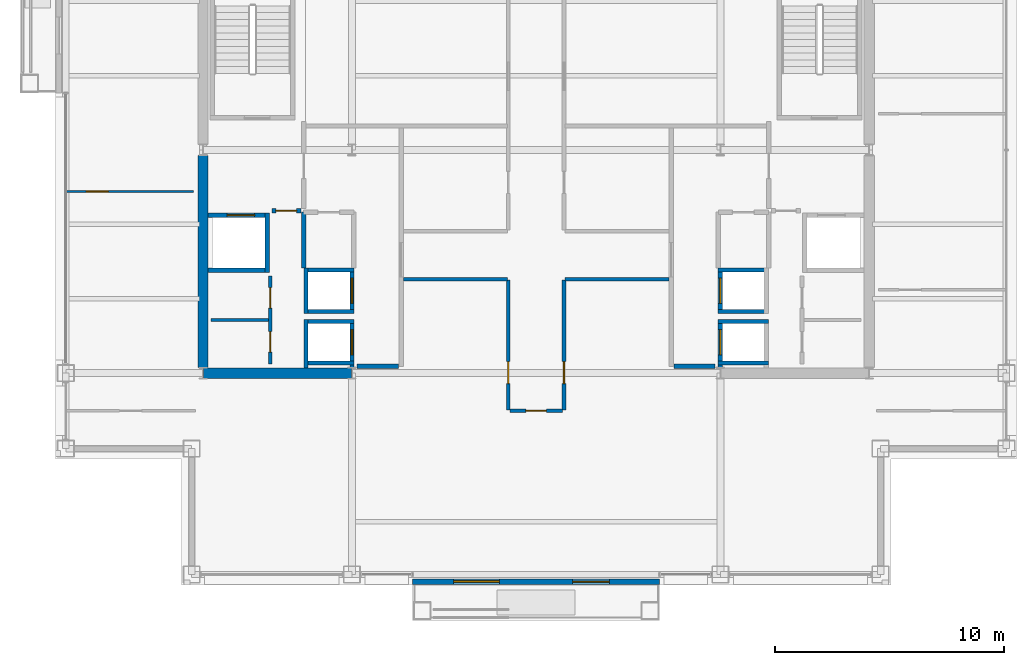
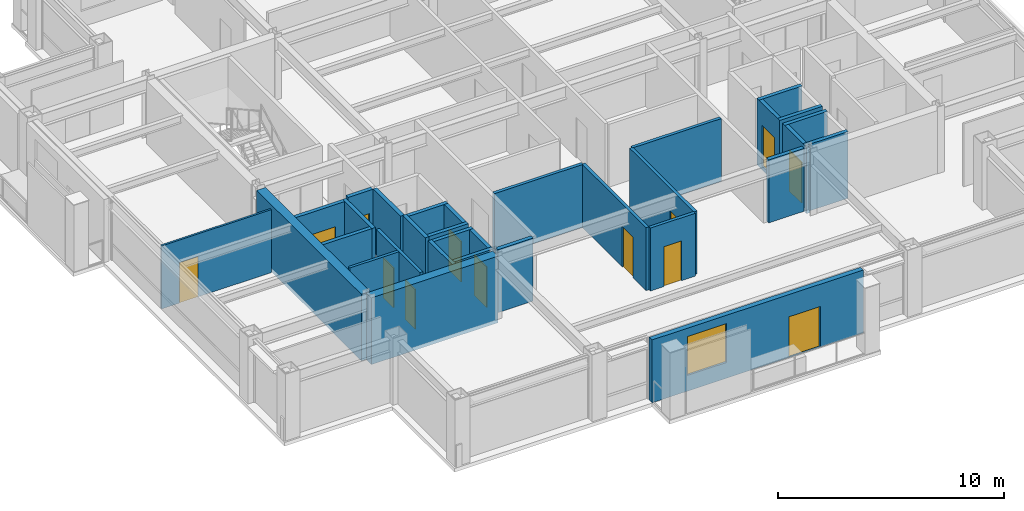
# One storey, part 23 of 28: 32 walls, 13 doors, 1 window, 14 openings.
"""IFC4 building model written with IfcOpenShell, lengths in metres."""

from ifc_helpers import new_model, si_unit, direction, frame, frame_2d, origin, place, context, subcontext, project, spatial, rectangle, extrude, material, layer, layer_set, type_object, element, fill, save


model = new_model("IFC4")

# Units and contexts
model_context = context("Model", 3, precision=1e-05, world=origin(), true_north=direction((0.0, 1.0)))
body_context = subcontext(model_context, "Body", "Model", "MODEL_VIEW")
ifc_project = project(units=[si_unit("LENGTHUNIT", "METRE"), si_unit("AREAUNIT", "SQUARE_METRE"), si_unit("VOLUMEUNIT", "CUBIC_METRE"), si_unit("PLANEANGLEUNIT", "RADIAN"), si_unit("MASSUNIT", "GRAM", prefix="KILO")], contexts=[model_context])

# Site, building, storey
site_placement = place(None, origin())
site = spatial("IfcSite", under=ifc_project, at=site_placement, CompositionType="ELEMENT")
building_placement = place(site_placement, origin())
building = spatial("IfcBuilding", under=site, at=building_placement, Name="Brelmoor Portico Tower", CompositionType="ELEMENT")
storey_placement = place(building_placement, frame((0.0, 0.0, 165.89990234375)))
storey = spatial("IfcBuildingStorey", under=building, at=storey_placement, Name="L43", CompositionType="ELEMENT", Elevation=165.89990234375)

# Walls
ifc_material_1 = material(Name="Concrete C50", Category="concrete")
ifc_layer_1 = layer(ifc_material_1, 0.449951171875)
ifc_layer_set_1 = layer_set([ifc_layer_1], Name="Concrete C50")
wall_type_1 = type_object("IfcWallType", Name="WL-CORE-450", PredefinedType="SHEAR", material=ifc_layer_set_1)
wall_1_placement = place(storey_placement, frame((-14.530029296875, -9.75, -0.199951171875), z_axis=(0.0, 0.0, 1.0), x_axis=(1.0, 0.0, 0.0)))
element("IfcWall", 1, at=wall_1_placement, inside=storey, type_object=wall_type_1, Name="L43 WC South Shear Wall", PredefinedType="SHEAR", context=body_context, shape_type="SweptSolid", body=[
    extrude(rectangle(XDim=6.4599609375, YDim=0.449951171875, at=frame_2d((3.22998046875, 0.0))), origin(), (0.0, 0.0, 1.0), 3.60009765625),
])
wall_2_placement = place(storey_placement, frame((-14.550048828125, -9.5, -0.199951171875), z_axis=(0.0, 0.0, 1.0), x_axis=(0.0, 1.0, 0.0)))
element("IfcWall", 2, at=wall_2_placement, inside=storey, type_object=wall_type_1, Name="L43 WC Outer South Shear Wall", PredefinedType="SHEAR", context=body_context, shape_type="SweptSolid", body=[
    extrude(rectangle(XDim=9.25, YDim=0.449951171875, at=frame_2d((4.625, 0.0))), origin(), (0.0, 0.0, 1.0), 3.60009765625),
])

# Wall, openings, door, window
ifc_material_2 = material(Name="Precast Concrete C40 Insulated Facade Wall", Category="concrete")
ifc_layer_2 = layer(ifc_material_2, 0.25)
ifc_layer_set_2 = layer_set([ifc_layer_2], Name="Precast Concrete C40 Insulated Facade Wall")
wall_type_2 = type_object("IfcWallType", Name="WL-EXT-250", PredefinedType="STANDARD", material=ifc_layer_set_2)
wall_3_placement = place(storey_placement, frame((-5.39990234375, -18.860107421875, 0.0), z_axis=(0.0, 0.0, 1.0), x_axis=(1.0, 0.0, 0.0)))
wall_3 = element("IfcWall", 3, at=wall_3_placement, inside=storey, type_object=wall_type_2, Name="L43 Loggia Threshold Wall S-1", PredefinedType="STANDARD", context=body_context, shape_type="SweptSolid", body=[
    extrude(rectangle(XDim=10.7998046875, YDim=0.25, at=frame_2d((5.39990234375, 0.0))), origin(), (0.0, 0.0, 1.0), 3.400146484375),
])
opening_1_placement = place(wall_3_placement, frame((7.0, 0.0, 0.0)))
opening_1 = element("IfcOpeningElement", 4, at=opening_1_placement, cuts=wall_3, Name="Opening D-TB1", PredefinedType="OPENING", context=body_context, shape_type="SweptSolid", body=[
    extrude(rectangle(XDim=1.60009765625, YDim=2.199951171875, at=frame_2d((0.800048828125, 1.10009765625))), frame((0.0, 0.135009765625, 0.0), z_axis=(0.0, -1.0, 0.0), x_axis=(1.0, 0.0, 0.0)), (0.0, 0.0, 1.0), 0.27001953125),
])
opening_2_placement = place(wall_3_placement, frame((1.800048828125, 0.0, 0.85009765625)))
opening_2 = element("IfcOpeningElement", 5, at=opening_2_placement, cuts=wall_3, Name="Opening W-03", PredefinedType="OPENING", context=body_context, shape_type="SweptSolid", body=[
    extrude(rectangle(XDim=2.0, YDim=2.10009765625, at=frame_2d((1.0, 1.050048828125))), frame((0.0, 0.135009765625, 0.0), z_axis=(0.0, -1.0, 0.0), x_axis=(1.0, 0.0, 0.0)), (0.0, 0.0, 1.0), 0.27001953125),
])
ifc_material_3 = material(Name="Double-Leaf Thermally Broken Terrace Door", Category="aluminium")
door_type_1 = type_object("IfcDoorType", Name="DR-BALCONY-1600", OperationType="NOTDEFINED", PredefinedType="DOOR", material=ifc_material_3)
door_1_placement = place(opening_1_placement, origin())
door_1 = element("IfcDoor", 6, at=door_1_placement, inside=storey, type_object=door_type_1, Name="D-1851 L43 Tree Balcony Double Door S", OperationType="DOUBLE_DOOR_SINGLE_SWING", OverallHeight=2.199951171875, OverallWidth=1.60009765625, PredefinedType="DOOR", context=body_context, shape_type="SweptSolid", body=[
    extrude(rectangle(XDim=1.60009765625, YDim=2.199951171875, at=frame_2d((0.800048828125, 1.10009765625))), frame((0.0, 0.02490234375, 0.0), z_axis=(0.0, -1.0, 0.0), x_axis=(1.0, 0.0, 0.0)), (0.0, 0.0, 1.0), 0.050048828125),
])
fill(opening_1, door_1)
ifc_material_4 = material(Name="Thermally Broken Aluminium Low-E Window", Category="aluminium")
window_type = type_object("IfcWindowType", Name="WN-LOGGIA-2000x2100", PartitioningType="SINGLE_PANEL", PredefinedType="WINDOW", material=ifc_material_4)
window_placement = place(opening_2_placement, origin())
window = element("IfcWindow", 7, at=window_placement, inside=storey, type_object=window_type, Name="L43 Loggia Window S", OverallHeight=2.10009765625, OverallWidth=2.0, PartitioningType="SINGLE_PANEL", PredefinedType="WINDOW", context=body_context, shape_type="SweptSolid", body=[
    extrude(rectangle(XDim=2.0, YDim=2.10009765625, at=frame_2d((1.0, 1.050048828125))), frame((0.0, 0.030029296875, 0.0), z_axis=(0.0, -1.0, 0.0), x_axis=(1.0, 0.0, 0.0)), (0.0, 0.0, 1.0), 0.06005859375),
])
fill(opening_2, window)

# Wall, opening, door
ifc_material_5 = material(Name="Demountable Glazed Office Partition", Category="aluminium")
ifc_layer_3 = layer(ifc_material_5, 0.10009765625)
ifc_layer_set_3 = layer_set([ifc_layer_3], Name="Demountable Glazed Office Partition")
wall_type_3 = type_object("IfcWallType", Name="WL-PART-100", PredefinedType="PARTITIONING", material=ifc_layer_set_3)
wall_4_placement = place(storey_placement, frame((-20.56005859375, -1.811279296875, 0.0), z_axis=(0.0, 0.0, 1.0), x_axis=(1.0, 0.0, 0.0)))
wall_4 = element("IfcWall", 8, at=wall_4_placement, inside=storey, type_object=wall_type_3, Name="L43 W Wing Partition 1", PredefinedType="PARTITIONING", context=body_context, shape_type="SweptSolid", body=[
    extrude(rectangle(XDim=5.60009765625, YDim=0.10009765625, at=frame_2d((2.800048828125, 0.0))), origin(), (0.0, 0.0, 1.0), 3.400146484375),
])
opening_3_placement = place(wall_4_placement, frame((0.89990234375, 0.0, 0.0)))
opening_3 = element("IfcOpeningElement", 9, at=opening_3_placement, cuts=wall_4, Name="Opening D-IN2", PredefinedType="OPENING", context=body_context, shape_type="SweptSolid", body=[
    extrude(rectangle(XDim=0.9599609375, YDim=2.179931640625, at=frame_2d((0.47998046875, 1.08984375))), frame((0.0, 0.06005859375, 0.0), z_axis=(0.0, -1.0, 0.0), x_axis=(1.0, 0.0, 0.0)), (0.0, 0.0, 1.0), 0.1201171875),
])
ifc_material_6 = material(Name="Lacquered Timber Suite Door", Category="wood")
door_type_2 = type_object("IfcDoorType", Name="DR-INT-950", OperationType="NOTDEFINED", PredefinedType="DOOR", material=ifc_material_6)
door_2_placement = place(opening_3_placement, origin())
door_2 = element("IfcDoor", 10, at=door_2_placement, inside=storey, type_object=door_type_2, Name="D-1855 L43 W Wing Suite Connecting Door 1", OperationType="SINGLE_SWING_LEFT", OverallHeight=2.179931640625, OverallWidth=0.9599609375, PredefinedType="DOOR", context=body_context, shape_type="SweptSolid", body=[
    extrude(rectangle(XDim=0.9599609375, YDim=2.179931640625, at=frame_2d((0.47998046875, 1.08984375))), frame((0.0, 0.02490234375, 0.0), z_axis=(0.0, -1.0, 0.0), x_axis=(1.0, 0.0, 0.0)), (0.0, 0.0, 1.0), 0.050048828125),
])
fill(opening_3, door_2)

# Wall
ifc_material_7 = material(Name="Insulated Stud Suite Partition", Category="gypsum")
ifc_layer_4 = layer(ifc_material_7, 0.139892578125)
ifc_layer_set_4 = layer_set([ifc_layer_4], Name="Insulated Stud Suite Partition")
wall_type_4 = type_object("IfcWallType", Name="WL-PART-140", PredefinedType="PARTITIONING", material=ifc_layer_set_4)
wall_5_placement = place(storey_placement, frame((-11.699951171875, -7.425048828125, 0.0), z_axis=(0.0, 0.0, 1.0), x_axis=(-1.0, 0.0, 0.0)))
element("IfcWall", 11, at=wall_5_placement, inside=storey, type_object=wall_type_4, Name="L43 W Core WC Divider 1", PredefinedType="PARTITIONING", context=body_context, shape_type="SweptSolid", body=[
    extrude(rectangle(XDim=2.5, YDim=0.139892578125, at=frame_2d((1.25, 0.0))), origin(), (0.0, 0.0, 1.0), 3.400146484375),
])

# Wall, openings, doors
ifc_material_8 = material(Name="Twin-Frame Acoustic Partition", Category="gypsum")
ifc_layer_5 = layer(ifc_material_8, 0.159912109375)
ifc_layer_set_5 = layer_set([ifc_layer_5], Name="Twin-Frame Acoustic Partition")
wall_type_5 = type_object("IfcWallType", Name="WL-PART-160", PredefinedType="PARTITIONING", material=ifc_layer_set_5)
wall_6_placement = place(storey_placement, frame((-11.6201171875, -9.35009765625, 0.0), z_axis=(0.0, 0.0, 1.0), x_axis=(0.0, 1.0, 0.0)))
wall_6 = element("IfcWall", 12, at=wall_6_placement, inside=storey, type_object=wall_type_5, Name="L43 W Core Service Front Wall", PredefinedType="PARTITIONING", context=body_context, shape_type="SweptSolid", body=[
    extrude(rectangle(XDim=3.85009765625, YDim=0.159912109375, at=frame_2d((1.925048828125, 0.0))), origin(), (0.0, 0.0, 1.0), 3.400146484375),
])
opening_4_placement = place(wall_6_placement, frame((0.512451171875, 0.0, 0.0)))
opening_4 = element("IfcOpeningElement", 13, at=opening_4_placement, cuts=wall_6, Name="Opening D-IN1", PredefinedType="OPENING", context=body_context, shape_type="SweptSolid", body=[
    extrude(rectangle(XDim=0.89990234375, YDim=2.14990234375, at=frame_2d((0.449951171875, 1.074951171875))), frame((0.0, 0.08984375, 0.0), z_axis=(0.0, -1.0, 0.0), x_axis=(1.0, 0.0, 0.0)), (0.0, 0.0, 1.0), 0.179931640625),
])
opening_5_placement = place(wall_6_placement, frame((2.4375, 0.0, 0.0)))
opening_5 = element("IfcOpeningElement", 14, at=opening_5_placement, cuts=wall_6, Name="Opening D-IN1", PredefinedType="OPENING", context=body_context, shape_type="SweptSolid", body=[
    extrude(rectangle(XDim=0.89990234375, YDim=2.14990234375, at=frame_2d((0.449951171875, 1.074951171875))), frame((0.0, 0.08984375, 0.0), z_axis=(0.0, -1.0, 0.0), x_axis=(1.0, 0.0, 0.0)), (0.0, 0.0, 1.0), 0.179931640625),
])
door_type_3 = type_object("IfcDoorType", Name="DR-INT-900", OperationType="NOTDEFINED", PredefinedType="DOOR", material=ifc_material_6)
door_3_placement = place(opening_4_placement, origin())
door_3 = element("IfcDoor", 15, at=door_3_placement, inside=storey, type_object=door_type_3, Name="D-1831 L43 W Accessible WC Door", OperationType="SINGLE_SWING_RIGHT", OverallHeight=2.14990234375, OverallWidth=0.89990234375, PredefinedType="DOOR", context=body_context, shape_type="SweptSolid", body=[
    extrude(rectangle(XDim=0.89990234375, YDim=2.14990234375, at=frame_2d((0.449951171875, 1.074951171875))), frame((0.0, 0.02490234375, 0.0), z_axis=(0.0, -1.0, 0.0), x_axis=(1.0, 0.0, 0.0)), (0.0, 0.0, 1.0), 0.050048828125),
])
fill(opening_4, door_3)
door_4_placement = place(opening_5_placement, origin())
door_4 = element("IfcDoor", 16, at=door_4_placement, inside=storey, type_object=door_type_3, Name="D-1832 L43 W Staff WC Door", OperationType="SINGLE_SWING_LEFT", OverallHeight=2.14990234375, OverallWidth=0.89990234375, PredefinedType="DOOR", context=body_context, shape_type="SweptSolid", body=[
    extrude(rectangle(XDim=0.89990234375, YDim=2.14990234375, at=frame_2d((0.449951171875, 1.074951171875))), frame((0.0, 0.02490234375, 0.0), z_axis=(0.0, -1.0, 0.0), x_axis=(1.0, 0.0, 0.0)), (0.0, 0.0, 1.0), 0.050048828125),
])
fill(opening_5, door_4)

# Wall, opening, door
wall_7_placement = place(storey_placement, frame((-1.219970703125, -11.360107421875, 0.0), z_axis=(0.0, 0.0, 1.0), x_axis=(0.0, 1.0, 0.0)))
wall_7 = element("IfcWall", 17, at=wall_7_placement, inside=storey, type_object=wall_type_5, Name="L43 South Cross West Wall", PredefinedType="PARTITIONING", context=body_context, shape_type="SweptSolid", body=[
    extrude(rectangle(XDim=5.68017578125, YDim=0.159912109375, at=frame_2d((2.840087890625, 0.0))), origin(), (0.0, 0.0, 1.0), 3.400146484375),
])
opening_6_placement = place(wall_7_placement, frame((1.14990234375, 0.0, 0.0)))
opening_6 = element("IfcOpeningElement", 18, at=opening_6_placement, cuts=wall_7, Name="Opening D-IN2", PredefinedType="OPENING", context=body_context, shape_type="SweptSolid", body=[
    extrude(rectangle(XDim=0.9599609375, YDim=2.179931640625, at=frame_2d((0.47998046875, 1.08984375))), frame((0.0, 0.08984375, 0.0), z_axis=(0.0, -1.0, 0.0), x_axis=(1.0, 0.0, 0.0)), (0.0, 0.0, 1.0), 0.179931640625),
])
door_5_placement = place(opening_6_placement, origin())
door_5 = element("IfcDoor", 19, at=door_5_placement, inside=storey, type_object=door_type_2, Name="D-1824 L43 South-West Archive Room Door", OperationType="SINGLE_SWING_LEFT", OverallHeight=2.179931640625, OverallWidth=0.9599609375, PredefinedType="DOOR", context=body_context, shape_type="SweptSolid", body=[
    extrude(rectangle(XDim=0.9599609375, YDim=2.179931640625, at=frame_2d((0.47998046875, 1.08984375))), frame((0.0, 0.02490234375, 0.0), z_axis=(0.0, -1.0, 0.0), x_axis=(1.0, 0.0, 0.0)), (0.0, 0.0, 1.0), 0.050048828125),
])
fill(opening_6, door_5)

wall_8_placement = place(storey_placement, frame((1.219970703125, -11.360107421875, 0.0), z_axis=(0.0, 0.0, 1.0), x_axis=(0.0, 1.0, 0.0)))
wall_8 = element("IfcWall", 20, at=wall_8_placement, inside=storey, type_object=wall_type_5, Name="L43 South Cross East Wall", PredefinedType="PARTITIONING", context=body_context, shape_type="SweptSolid", body=[
    extrude(rectangle(XDim=5.68017578125, YDim=0.159912109375, at=frame_2d((2.840087890625, 0.0))), origin(), (0.0, 0.0, 1.0), 3.400146484375),
])
opening_7_placement = place(wall_8_placement, frame((1.14990234375, 0.0, 0.0)))
opening_7 = element("IfcOpeningElement", 21, at=opening_7_placement, cuts=wall_8, Name="Opening D-IN2", PredefinedType="OPENING", context=body_context, shape_type="SweptSolid", body=[
    extrude(rectangle(XDim=0.9599609375, YDim=2.179931640625, at=frame_2d((0.47998046875, 1.08984375))), frame((0.0, 0.08984375, 0.0), z_axis=(0.0, -1.0, 0.0), x_axis=(1.0, 0.0, 0.0)), (0.0, 0.0, 1.0), 0.179931640625),
])
door_6_placement = place(opening_7_placement, origin())
door_6 = element("IfcDoor", 22, at=door_6_placement, inside=storey, type_object=door_type_2, Name="D-1823 L43 South-East Partner Office Door", OperationType="SINGLE_SWING_RIGHT", OverallHeight=2.179931640625, OverallWidth=0.9599609375, PredefinedType="DOOR", context=body_context, shape_type="SweptSolid", body=[
    extrude(rectangle(XDim=0.9599609375, YDim=2.179931640625, at=frame_2d((0.47998046875, 1.08984375))), frame((0.0, 0.02490234375, 0.0), z_axis=(0.0, -1.0, 0.0), x_axis=(1.0, 0.0, 0.0)), (0.0, 0.0, 1.0), 0.050048828125),
])
fill(opening_7, door_6)

# Walls
for number, where, z_axis, x_axis, name in (
    (23, (-5.800048828125, -5.64990234375, 0.0), (0.0, 0.0, 1.0), (1.0, 0.0, 0.0), "L43 South-West Chamber Top Wall"),
    (24, (1.260009765625, -5.64990234375, 0.0), (0.0, 0.0, 1.0), (1.0, 0.0, 0.0), "L43 South-East Chamber Top Wall"),
):
    element("IfcWall", number, at=place(storey_placement, frame(where, z_axis=z_axis, x_axis=x_axis)), inside=storey, type_object=wall_type_5, Name=name, PredefinedType="PARTITIONING", context=body_context, shape_type="SweptSolid", body=[
        extrude(rectangle(XDim=4.5400390625, YDim=0.159912109375, at=frame_2d((2.27001953125, 0.0))), origin(), (0.0, 0.0, 1.0), 3.400146484375),
    ])

# Wall, opening, door
wall_9_placement = place(storey_placement, frame((-1.14990234375, -11.39990234375, 0.0), z_axis=(0.0, 0.0, 1.0), x_axis=(1.0, 0.0, 0.0)))
wall_9 = element("IfcWall", 25, at=wall_9_placement, inside=storey, type_object=wall_type_5, Name="L43 South Corridor Partition", PredefinedType="PARTITIONING", context=body_context, shape_type="SweptSolid", body=[
    extrude(rectangle(XDim=2.2998046875, YDim=0.159912109375, at=frame_2d((1.14990234375, 0.0))), origin(), (0.0, 0.0, 1.0), 3.400146484375),
])
opening_8_placement = place(wall_9_placement, frame((0.699951171875, 0.0, 0.0)))
opening_8 = element("IfcOpeningElement", 26, at=opening_8_placement, cuts=wall_9, Name="Opening D-IN1", PredefinedType="OPENING", context=body_context, shape_type="SweptSolid", body=[
    extrude(rectangle(XDim=0.89990234375, YDim=2.14990234375, at=frame_2d((0.449951171875, 1.074951171875))), frame((0.0, 0.08984375, 0.0), z_axis=(0.0, -1.0, 0.0), x_axis=(1.0, 0.0, 0.0)), (0.0, 0.0, 1.0), 0.179931640625),
])
door_7_placement = place(opening_8_placement, origin())
door_7 = element("IfcDoor", 27, at=door_7_placement, inside=storey, type_object=door_type_3, Name="D-1845 L43 South Design Workshop 1 Door", OperationType="SINGLE_SWING_RIGHT", OverallHeight=2.14990234375, OverallWidth=0.89990234375, PredefinedType="DOOR", context=body_context, shape_type="SweptSolid", body=[
    extrude(rectangle(XDim=0.89990234375, YDim=2.14990234375, at=frame_2d((0.449951171875, 1.074951171875))), frame((0.0, 0.02490234375, 0.0), z_axis=(0.0, -1.0, 0.0), x_axis=(1.0, 0.0, 0.0)), (0.0, 0.0, 1.0), 0.050048828125),
])
fill(opening_8, door_7)

# Wall
ifc_material_9 = material(Name="Double-Stud Gypsum Fire Partition", Category="gypsum")
ifc_layer_6 = layer(ifc_material_9, 0.199951171875)
ifc_layer_set_6 = layer_set([ifc_layer_6], Name="Double-Stud Gypsum Fire Partition")
wall_type_6 = type_object("IfcWallType", Name="WL-PART-200", PredefinedType="PARTITIONING", material=ifc_layer_set_6)
wall_10_placement = place(storey_placement, frame((-6.02001953125, -9.449951171875, 0.0), z_axis=(0.0, 0.0, 1.0), x_axis=(-1.0, 0.0, 0.0)))
element("IfcWall", 28, at=wall_10_placement, inside=storey, type_object=wall_type_6, Name="L43 W Lift Lobby South End Wall", PredefinedType="PARTITIONING", context=body_context, shape_type="SweptSolid", body=[
    extrude(rectangle(XDim=1.800048828125, YDim=0.199951171875, at=frame_2d((0.89990234375, 0.0))), origin(), (0.0, 0.0, 1.0), 3.400146484375),
])

# Wall, opening, door
wall_11_placement = place(storey_placement, frame((-10.280029296875, -2.64990234375, 0.0), z_axis=(0.0, 0.0, 1.0), x_axis=(-1.0, 0.0, 0.0)))
wall_11 = element("IfcWall", 29, at=wall_11_placement, inside=storey, type_object=wall_type_6, Name="L43 W Firefighting Lobby South Wall", PredefinedType="PARTITIONING", context=body_context, shape_type="SweptSolid", body=[
    extrude(rectangle(XDim=1.27001953125, YDim=0.199951171875, at=frame_2d((0.635009765625, 0.0))), origin(), (0.0, 0.0, 1.0), 3.400146484375),
])
opening_9_placement = place(wall_11_placement, frame((0.18505859375, 0.0, 0.0)))
opening_9 = element("IfcOpeningElement", 30, at=opening_9_placement, cuts=wall_11, Name="Opening D-IN1", PredefinedType="OPENING", context=body_context, shape_type="SweptSolid", body=[
    extrude(rectangle(XDim=0.89990234375, YDim=2.14990234375, at=frame_2d((0.449951171875, 1.074951171875))), frame((0.0, 0.10986328125, 0.0), z_axis=(0.0, -1.0, 0.0), x_axis=(1.0, 0.0, 0.0)), (0.0, 0.0, 1.0), 0.219970703125),
])
door_8_placement = place(opening_9_placement, origin())
door_8 = element("IfcDoor", 31, at=door_8_placement, inside=storey, type_object=door_type_3, Name="D-1830 L43 W Core Service Vestibule Door", OperationType="SINGLE_SWING_RIGHT", OverallHeight=2.14990234375, OverallWidth=0.89990234375, PredefinedType="DOOR", context=body_context, shape_type="SweptSolid", body=[
    extrude(rectangle(XDim=0.89990234375, YDim=2.14990234375, at=frame_2d((0.449951171875, 1.074951171875))), frame((0.0, 0.02490234375, 0.0), z_axis=(0.0, -1.0, 0.0), x_axis=(1.0, 0.0, 0.0)), (0.0, 0.0, 1.0), 0.050048828125),
])
fill(opening_9, door_8)

# Walls
wall_12_placement = place(storey_placement, frame((-10.159912109375, -5.159912109375, 0.0), z_axis=(0.0, 0.0, 1.0), x_axis=(0.0, 1.0, 0.0)))
element("IfcWall", 32, at=wall_12_placement, inside=storey, type_object=wall_type_6, Name="L43 W Electrical Switchgear Closet Outer Wall", PredefinedType="PARTITIONING", context=body_context, shape_type="SweptSolid", body=[
    extrude(rectangle(XDim=2.43994140625, YDim=0.199951171875, at=frame_2d((1.219970703125, 0.0))), origin(), (0.0, 0.0, 1.0), 3.400146484375),
])
wall_13_placement = place(storey_placement, frame((6.02001953125, -9.449951171875, 0.0), z_axis=(0.0, 0.0, 1.0), x_axis=(1.0, 0.0, 0.0)))
element("IfcWall", 33, at=wall_13_placement, inside=storey, type_object=wall_type_6, Name="L43 E Lift Lobby South End Wall", PredefinedType="PARTITIONING", context=body_context, shape_type="SweptSolid", body=[
    extrude(rectangle(XDim=1.800048828125, YDim=0.199951171875, at=frame_2d((0.89990234375, 0.0))), origin(), (0.0, 0.0, 1.0), 3.400146484375),
])

# Wall, opening, door
ifc_material_10 = material(Name="Precast Concrete C40", Category="concrete")
ifc_layer_7 = layer(ifc_material_10, 0.18994140625)
ifc_layer_set_7 = layer_set([ifc_layer_7], Name="Precast Concrete C40")
wall_type_7 = type_object("IfcWallType", Name="WL-SHAFT-180", PredefinedType="SOLIDWALL", material=ifc_layer_set_7)
wall_14_placement = place(storey_placement, frame((-8.044921875, -9.52001953125, -0.199951171875), z_axis=(0.0, 0.0, 1.0), x_axis=(0.0, 1.0, 0.0)))
wall_14 = element("IfcWall", 34, at=wall_14_placement, inside=storey, type_object=wall_type_7, Name="L43 Lift PH1 Hoistway Front Wall", PredefinedType="SOLIDWALL", context=body_context, shape_type="SweptSolid", body=[
    extrude(rectangle(XDim=2.1201171875, YDim=0.18994140625, at=frame_2d((1.06005859375, 0.0))), origin(), (0.0, 0.0, 1.0), 3.60009765625),
])
opening_10_placement = place(wall_14_placement, frame((0.570068359375, 0.0, 0.199951171875)))
opening_10 = element("IfcOpeningElement", 35, at=opening_10_placement, cuts=wall_14, Name="Opening LD-01", PredefinedType="OPENING", context=body_context, shape_type="SweptSolid", body=[
    extrude(rectangle(XDim=1.10009765625, YDim=2.199951171875, at=frame_2d((0.550048828125, 1.10009765625))), frame((0.0, 0.10498046875, 0.0), z_axis=(0.0, -1.0, 0.0), x_axis=(1.0, 0.0, 0.0)), (0.0, 0.0, 1.0), 0.2099609375),
])
ifc_material_11 = material(Name="Brushed Stainless Steel Sliding Lift Door", Category="steel")
door_type_4 = type_object("IfcDoorType", Name="DR-LIFT-1100", OperationType="NOTDEFINED", PredefinedType="DOOR", material=ifc_material_11)
door_9_placement = place(opening_10_placement, origin())
door_9 = element("IfcDoor", 36, at=door_9_placement, inside=storey, type_object=door_type_4, Name="D-1858 L43 Lift PH1 Sliding Landing Door", OperationType="SLIDING_TO_LEFT", OverallHeight=2.199951171875, OverallWidth=1.10009765625, PredefinedType="DOOR", context=body_context, shape_type="SweptSolid", body=[
    extrude(rectangle(XDim=1.10009765625, YDim=2.199951171875, at=frame_2d((0.550048828125, 1.10009765625))), frame((0.0, 0.02490234375, 0.0), z_axis=(0.0, -1.0, 0.0), x_axis=(1.0, 0.0, 0.0)), (0.0, 0.0, 1.0), 0.050048828125),
])
fill(opening_10, door_9)

# Walls
wall_15_placement = place(storey_placement, frame((-10.054931640625, -9.52001953125, -0.199951171875), z_axis=(0.0, 0.0, 1.0), x_axis=(0.0, 1.0, 0.0)))
element("IfcWall", 37, at=wall_15_placement, inside=storey, type_object=wall_type_7, Name="L43 Lift PH1 Hoistway Back Wall", PredefinedType="SOLIDWALL", context=body_context, shape_type="SweptSolid", body=[
    extrude(rectangle(XDim=2.1201171875, YDim=0.18994140625, at=frame_2d((1.06005859375, 0.0))), origin(), (0.0, 0.0, 1.0), 3.60009765625),
])
for number, where, z_axis, x_axis, name in (
    (38, (-10.14990234375, -7.4951171875, -0.199951171875), (0.0, 0.0, 1.0), (1.0, 0.0, 0.0), "L43 Lift PH1 Hoistway North Wall"),
    (39, (-10.14990234375, -9.304931640625, -0.199951171875), (0.0, 0.0, 1.0), (1.0, 0.0, 0.0), "L43 Lift PH1 Hoistway South Wall"),
):
    element("IfcWall", number, at=place(storey_placement, frame(where, z_axis=z_axis, x_axis=x_axis)), inside=storey, type_object=wall_type_7, Name=name, PredefinedType="SOLIDWALL", context=body_context, shape_type="SweptSolid", body=[
        extrude(rectangle(XDim=2.199951171875, YDim=0.18994140625, at=frame_2d((1.10009765625, 0.0))), origin(), (0.0, 0.0, 1.0), 3.60009765625),
    ])

# Wall, opening, door
wall_16_placement = place(storey_placement, frame((-8.044921875, -7.14990234375, -0.199951171875), z_axis=(0.0, 0.0, 1.0), x_axis=(0.0, 1.0, 0.0)))
wall_16 = element("IfcWall", 40, at=wall_16_placement, inside=storey, type_object=wall_type_7, Name="L43 Lift PH2 Hoistway Front Wall", PredefinedType="SOLIDWALL", context=body_context, shape_type="SweptSolid", body=[
    extrude(rectangle(XDim=2.0, YDim=0.18994140625, at=frame_2d((1.0, 0.0))), origin(), (0.0, 0.0, 1.0), 3.60009765625),
])
opening_11_placement = place(wall_16_placement, frame((0.449951171875, 0.0, 0.199951171875)))
opening_11 = element("IfcOpeningElement", 41, at=opening_11_placement, cuts=wall_16, Name="Opening LD-01", PredefinedType="OPENING", context=body_context, shape_type="SweptSolid", body=[
    extrude(rectangle(XDim=1.10009765625, YDim=2.199951171875, at=frame_2d((0.550048828125, 1.10009765625))), frame((0.0, 0.10498046875, 0.0), z_axis=(0.0, -1.0, 0.0), x_axis=(1.0, 0.0, 0.0)), (0.0, 0.0, 1.0), 0.2099609375),
])
door_10_placement = place(opening_11_placement, origin())
door_10 = element("IfcDoor", 42, at=door_10_placement, inside=storey, type_object=door_type_4, Name="D-1859 L43 Lift PH2 Sliding Landing Door", OperationType="SLIDING_TO_LEFT", OverallHeight=2.199951171875, OverallWidth=1.10009765625, PredefinedType="DOOR", context=body_context, shape_type="SweptSolid", body=[
    extrude(rectangle(XDim=1.10009765625, YDim=2.199951171875, at=frame_2d((0.550048828125, 1.10009765625))), frame((0.0, 0.02490234375, 0.0), z_axis=(0.0, -1.0, 0.0), x_axis=(1.0, 0.0, 0.0)), (0.0, 0.0, 1.0), 0.050048828125),
])
fill(opening_11, door_10)

# Walls
wall_17_placement = place(storey_placement, frame((-10.054931640625, -7.14990234375, -0.199951171875), z_axis=(0.0, 0.0, 1.0), x_axis=(0.0, 1.0, 0.0)))
element("IfcWall", 43, at=wall_17_placement, inside=storey, type_object=wall_type_7, Name="L43 Lift PH2 Hoistway Back Wall", PredefinedType="SOLIDWALL", context=body_context, shape_type="SweptSolid", body=[
    extrude(rectangle(XDim=2.0, YDim=0.18994140625, at=frame_2d((1.0, 0.0))), origin(), (0.0, 0.0, 1.0), 3.60009765625),
])
for number, where, z_axis, x_axis, name in (
    (44, (-10.14990234375, -5.2451171875, -0.199951171875), (0.0, 0.0, 1.0), (1.0, 0.0, 0.0), "L43 Lift PH2 Hoistway North Wall"),
    (45, (-10.14990234375, -7.054931640625, -0.199951171875), (0.0, 0.0, 1.0), (1.0, 0.0, 0.0), "L43 Lift PH2 Hoistway South Wall"),
):
    element("IfcWall", number, at=place(storey_placement, frame(where, z_axis=z_axis, x_axis=x_axis)), inside=storey, type_object=wall_type_7, Name=name, PredefinedType="SOLIDWALL", context=body_context, shape_type="SweptSolid", body=[
        extrude(rectangle(XDim=2.199951171875, YDim=0.18994140625, at=frame_2d((1.10009765625, 0.0))), origin(), (0.0, 0.0, 1.0), 3.60009765625),
    ])

# Wall, opening, door
wall_18_placement = place(storey_placement, frame((8.044921875, -9.52001953125, -0.199951171875), z_axis=(0.0, 0.0, 1.0), x_axis=(0.0, 1.0, 0.0)))
wall_18 = element("IfcWall", 46, at=wall_18_placement, inside=storey, type_object=wall_type_7, Name="L43 Lift PH3 Hoistway Front Wall", PredefinedType="SOLIDWALL", context=body_context, shape_type="SweptSolid", body=[
    extrude(rectangle(XDim=2.1201171875, YDim=0.18994140625, at=frame_2d((1.06005859375, 0.0))), origin(), (0.0, 0.0, 1.0), 3.60009765625),
])
opening_12_placement = place(wall_18_placement, frame((0.570068359375, 0.0, 0.199951171875)))
opening_12 = element("IfcOpeningElement", 47, at=opening_12_placement, cuts=wall_18, Name="Opening LD-01", PredefinedType="OPENING", context=body_context, shape_type="SweptSolid", body=[
    extrude(rectangle(XDim=1.10009765625, YDim=2.199951171875, at=frame_2d((0.550048828125, 1.10009765625))), frame((0.0, 0.10498046875, 0.0), z_axis=(0.0, -1.0, 0.0), x_axis=(1.0, 0.0, 0.0)), (0.0, 0.0, 1.0), 0.2099609375),
])
door_11_placement = place(opening_12_placement, origin())
door_11 = element("IfcDoor", 48, at=door_11_placement, inside=storey, type_object=door_type_4, Name="D-1860 L43 Lift PH3 Sliding Landing Door", OperationType="SLIDING_TO_LEFT", OverallHeight=2.199951171875, OverallWidth=1.10009765625, PredefinedType="DOOR", context=body_context, shape_type="SweptSolid", body=[
    extrude(rectangle(XDim=1.10009765625, YDim=2.199951171875, at=frame_2d((0.550048828125, 1.10009765625))), frame((0.0, 0.02490234375, 0.0), z_axis=(0.0, -1.0, 0.0), x_axis=(1.0, 0.0, 0.0)), (0.0, 0.0, 1.0), 0.050048828125),
])
fill(opening_12, door_11)

# Walls
for number, where, z_axis, x_axis, name in (
    (49, (7.949951171875, -7.4951171875, -0.199951171875), (0.0, 0.0, 1.0), (1.0, 0.0, 0.0), "L43 Lift PH3 Hoistway North Wall"),
    (50, (7.949951171875, -9.304931640625, -0.199951171875), (0.0, 0.0, 1.0), (1.0, 0.0, 0.0), "L43 Lift PH3 Hoistway South Wall"),
):
    element("IfcWall", number, at=place(storey_placement, frame(where, z_axis=z_axis, x_axis=x_axis)), inside=storey, type_object=wall_type_7, Name=name, PredefinedType="SOLIDWALL", context=body_context, shape_type="SweptSolid", body=[
        extrude(rectangle(XDim=2.199951171875, YDim=0.18994140625, at=frame_2d((1.10009765625, 0.0))), origin(), (0.0, 0.0, 1.0), 3.60009765625),
    ])

# Wall, opening, door
wall_19_placement = place(storey_placement, frame((8.044921875, -7.14990234375, -0.199951171875), z_axis=(0.0, 0.0, 1.0), x_axis=(0.0, 1.0, 0.0)))
wall_19 = element("IfcWall", 51, at=wall_19_placement, inside=storey, type_object=wall_type_7, Name="L43 Lift PH4 Hoistway Front Wall", PredefinedType="SOLIDWALL", context=body_context, shape_type="SweptSolid", body=[
    extrude(rectangle(XDim=2.0, YDim=0.18994140625, at=frame_2d((1.0, 0.0))), origin(), (0.0, 0.0, 1.0), 3.60009765625),
])
opening_13_placement = place(wall_19_placement, frame((0.449951171875, 0.0, 0.199951171875)))
opening_13 = element("IfcOpeningElement", 52, at=opening_13_placement, cuts=wall_19, Name="Opening LD-01", PredefinedType="OPENING", context=body_context, shape_type="SweptSolid", body=[
    extrude(rectangle(XDim=1.10009765625, YDim=2.199951171875, at=frame_2d((0.550048828125, 1.10009765625))), frame((0.0, 0.10498046875, 0.0), z_axis=(0.0, -1.0, 0.0), x_axis=(1.0, 0.0, 0.0)), (0.0, 0.0, 1.0), 0.2099609375),
])
door_12_placement = place(opening_13_placement, origin())
door_12 = element("IfcDoor", 53, at=door_12_placement, inside=storey, type_object=door_type_4, Name="D-1861 L43 Lift PH4 Sliding Landing Door", OperationType="SLIDING_TO_LEFT", OverallHeight=2.199951171875, OverallWidth=1.10009765625, PredefinedType="DOOR", context=body_context, shape_type="SweptSolid", body=[
    extrude(rectangle(XDim=1.10009765625, YDim=2.199951171875, at=frame_2d((0.550048828125, 1.10009765625))), frame((0.0, 0.02490234375, 0.0), z_axis=(0.0, -1.0, 0.0), x_axis=(1.0, 0.0, 0.0)), (0.0, 0.0, 1.0), 0.050048828125),
])
fill(opening_13, door_12)

# Walls
for number, where, z_axis, x_axis, name in (
    (54, (7.949951171875, -5.2451171875, -0.199951171875), (0.0, 0.0, 1.0), (1.0, 0.0, 0.0), "L43 Lift PH4 Hoistway North Wall"),
    (55, (7.949951171875, -7.054931640625, -0.199951171875), (0.0, 0.0, 1.0), (1.0, 0.0, 0.0), "L43 Lift PH4 Hoistway South Wall"),
):
    element("IfcWall", number, at=place(storey_placement, frame(where, z_axis=z_axis, x_axis=x_axis)), inside=storey, type_object=wall_type_7, Name=name, PredefinedType="SOLIDWALL", context=body_context, shape_type="SweptSolid", body=[
        extrude(rectangle(XDim=2.199951171875, YDim=0.18994140625, at=frame_2d((1.10009765625, 0.0))), origin(), (0.0, 0.0, 1.0), 3.60009765625),
    ])

# Wall, opening, door
wall_20_placement = place(storey_placement, frame((-14.330078125, -2.844970703125, -0.199951171875), z_axis=(0.0, 0.0, 1.0), x_axis=(1.0, 0.0, 0.0)))
wall_20 = element("IfcWall", 56, at=wall_20_placement, inside=storey, type_object=wall_type_7, Name="L43 Lift FF1 Hoistway Front Wall", PredefinedType="SOLIDWALL", context=body_context, shape_type="SweptSolid", body=[
    extrude(rectangle(XDim=2.68017578125, YDim=0.18994140625, at=frame_2d((1.340087890625, 0.0))), origin(), (0.0, 0.0, 1.0), 3.60009765625),
])
opening_14_placement = place(wall_20_placement, frame((0.830078125, 0.0, 0.199951171875)))
opening_14 = element("IfcOpeningElement", 57, at=opening_14_placement, cuts=wall_20, Name="Opening LD-02", PredefinedType="OPENING", context=body_context, shape_type="SweptSolid", body=[
    extrude(rectangle(XDim=1.199951171875, YDim=2.199951171875, at=frame_2d((0.60009765625, 1.10009765625))), frame((0.0, 0.10498046875, 0.0), z_axis=(0.0, -1.0, 0.0), x_axis=(1.0, 0.0, 0.0)), (0.0, 0.0, 1.0), 0.2099609375),
])
ifc_material_12 = material(Name="Brushed Stainless Steel Firefighting Lift Door", Category="steel")
door_type_5 = type_object("IfcDoorType", Name="DR-LIFT-1200", OperationType="NOTDEFINED", PredefinedType="DOOR", material=ifc_material_12)
door_13_placement = place(opening_14_placement, origin())
door_13 = element("IfcDoor", 58, at=door_13_placement, inside=storey, type_object=door_type_5, Name="D-1856 L43 Lift FF1 Sliding Landing Door", OperationType="SLIDING_TO_LEFT", OverallHeight=2.199951171875, OverallWidth=1.199951171875, PredefinedType="DOOR", context=body_context, shape_type="SweptSolid", body=[
    extrude(rectangle(XDim=1.199951171875, YDim=2.199951171875, at=frame_2d((0.60009765625, 1.10009765625))), frame((0.0, 0.02490234375, 0.0), z_axis=(0.0, -1.0, 0.0), x_axis=(1.0, 0.0, 0.0)), (0.0, 0.0, 1.0), 0.050048828125),
])
fill(opening_14, door_13)

# Walls
wall_21_placement = place(storey_placement, frame((-14.330078125, -5.2548828125, -0.199951171875), z_axis=(0.0, 0.0, 1.0), x_axis=(1.0, 0.0, 0.0)))
element("IfcWall", 59, at=wall_21_placement, inside=storey, type_object=wall_type_7, Name="L43 Firefighting Lift FF1 South Wall", PredefinedType="SOLIDWALL", context=body_context, shape_type="SweptSolid", body=[
    extrude(rectangle(XDim=2.68017578125, YDim=0.18994140625, at=frame_2d((1.340087890625, 0.0))), origin(), (0.0, 0.0, 1.0), 3.60009765625),
])
wall_22_placement = place(storey_placement, frame((-11.7451171875, -5.35009765625, -0.199951171875), z_axis=(0.0, 0.0, 1.0), x_axis=(0.0, 1.0, 0.0)))
element("IfcWall", 60, at=wall_22_placement, inside=storey, type_object=wall_type_7, Name="L43 Firefighting Lift FF1 Inner Wall", PredefinedType="SOLIDWALL", context=body_context, shape_type="SweptSolid", body=[
    extrude(rectangle(XDim=2.60009765625, YDim=0.18994140625, at=frame_2d((1.300048828125, 0.0))), origin(), (0.0, 0.0, 1.0), 3.60009765625),
])

save(model, "model.ifc")
